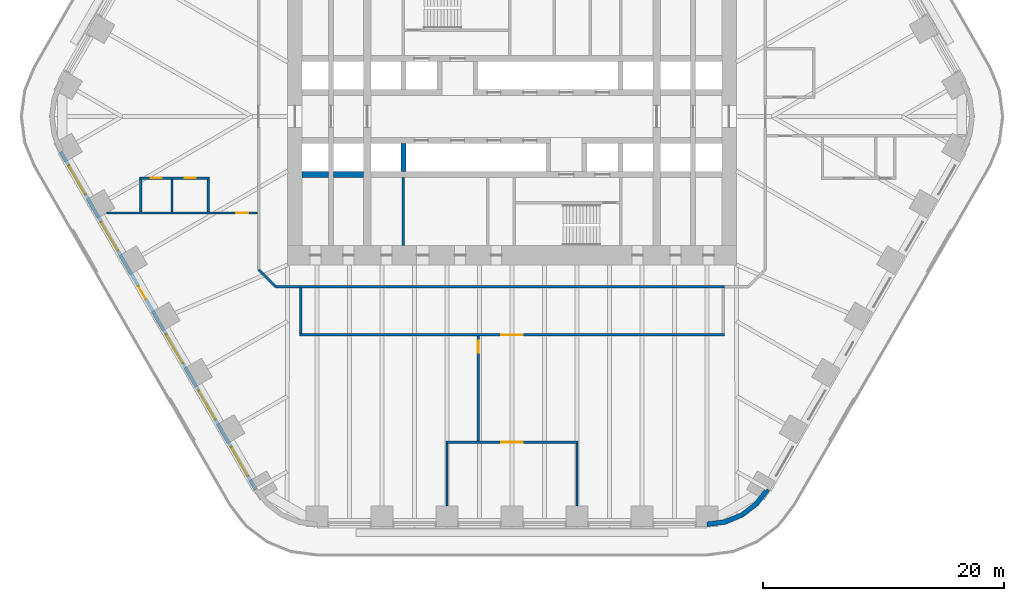
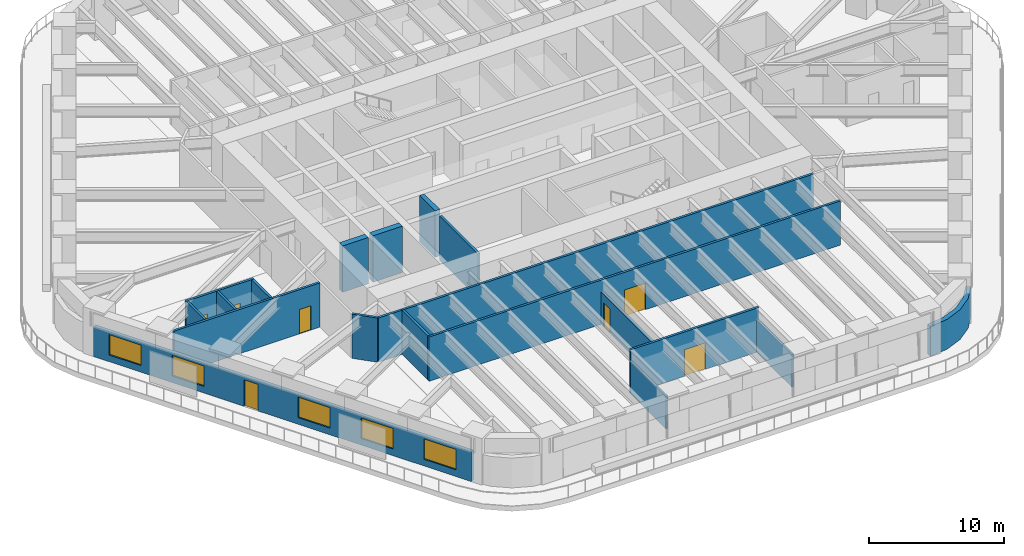
# One storey, part 16 of 23: 20 walls, 7 doors, 5 windows, 12 openings.
"""IFC4 building model written with IfcOpenShell, lengths in metres."""

import ifcopenshell
import ifcopenshell.guid

model = None  # the IFC model being written
_history = None  # IfcOwnerHistory: only IFC2X3 demands one
_inside = {}  # id of a spatial element -> (the spatial element, [elements in it])
_under = {}  # id of a project, library or spatial element -> (it, [spatial elements below it])
_declared = {}  # id of a project -> (the project, [libraries it declares])
_typed = {}  # id of a type object -> (the type object, [elements of that type])
_made_of = {}  # id of a material, layer set ... -> (it, [elements and type objects made of it])


def new_model(schema):
    """Start an empty IFC model of exactly this schema.

    Asked for "IFC4X3", IfcOpenShell would pick the latest addendum, in which some entities
    have other attributes; the version numbers below select the first issue.
    IFC2X3 requires an IfcOwnerHistory on every rooted entity: one is made here for all.
    """
    global model, _history
    if schema == "IFC4X3":
        model = ifcopenshell.file(schema_version=(4, 3, 0, 0))
    else:
        model = ifcopenshell.file(schema=schema)
    _inside.clear()
    _under.clear()
    _declared.clear()
    _typed.clear()
    _made_of.clear()
    _history = None
    if model.schema == "IFC2X3":
        org = make("IfcOrganization", Name="unknown")
        user = make(
            "IfcPersonAndOrganization",
            ThePerson=make("IfcPerson", FamilyName="unknown"),
            TheOrganization=org,
        )
        app = make(
            "IfcApplication",
            ApplicationDeveloper=org,
            Version="unknown",
            ApplicationFullName="unknown",
            ApplicationIdentifier="unknown",
        )
        _history = make(
            "IfcOwnerHistory",
            OwningUser=user,
            OwningApplication=app,
            ChangeAction="ADDED",
            CreationDate=0,
        )
    return model


def make(cls, **values):
    """One entity of the class cls with the attributes given. An attribute that is None is left unset."""
    return model.create_entity(
        cls, **{name: value for name, value in values.items() if value is not None}
    )


def rooted(cls, **values):
    """An entity with a GlobalId (a new one), such as an element, a storey or a relation."""
    return make(cls, GlobalId=ifcopenshell.guid.new(), OwnerHistory=_history, **values)


def si_unit(unit_type, name, prefix=None):
    """IfcSIUnit, for example si_unit("LENGTHUNIT", "METRE", prefix="MILLI")."""
    return make("IfcSIUnit", UnitType=unit_type, Prefix=prefix, Name=name)


def assignment(units):
    """IfcUnitAssignment: the units of a project."""
    return None if units is None else make("IfcUnitAssignment", Units=units)


def point(xyz):
    """IfcCartesianPoint."""
    return None if xyz is None else make("IfcCartesianPoint", Coordinates=xyz)


def direction(xyz):
    """IfcDirection."""
    return None if xyz is None else make("IfcDirection", DirectionRatios=xyz)


def frame(location, z_axis=None, x_axis=None):
    """IfcAxis2Placement3D, a coordinate frame: its origin and axes. An axis left out is left unset."""
    return make(
        "IfcAxis2Placement3D",
        Location=point(location),
        Axis=direction(z_axis),
        RefDirection=direction(x_axis),
    )


def frame_2d(location, x_axis=None):
    """IfcAxis2Placement2D, a coordinate frame in the plane: its origin and x axis."""
    return make(
        "IfcAxis2Placement2D", Location=point(location), RefDirection=direction(x_axis)
    )


def origin():
    """The frame at (0, 0, 0) with its axes left unset."""
    return frame((0.0, 0.0, 0.0))


def place(relative_to, where):
    """IfcLocalPlacement: puts the frame where relative to a parent placement (None: the world)."""
    return make(
        "IfcLocalPlacement", PlacementRelTo=relative_to, RelativePlacement=where
    )


def context(
    kind, dimensions, precision=None, world=None, true_north=None, identifier=None
):
    """IfcGeometricRepresentationContext, for example the 3D "Model" context."""
    return make(
        "IfcGeometricRepresentationContext",
        ContextIdentifier=identifier,
        ContextType=kind,
        CoordinateSpaceDimension=dimensions,
        Precision=precision,
        WorldCoordinateSystem=world,
        TrueNorth=true_north,
    )


def subcontext(parent, identifier, kind, view, scale=None):
    """IfcGeometricRepresentationSubContext, for example "Body" below "Model"."""
    return make(
        "IfcGeometricRepresentationSubContext",
        ContextIdentifier=identifier,
        ContextType=kind,
        ParentContext=parent,
        TargetScale=scale,
        TargetView=view,
    )


def project(units=None, contexts=None):
    """IfcProject with its units and contexts."""
    return rooted(
        "IfcProject",
        Name="project",
        RepresentationContexts=contexts,
        UnitsInContext=assignment(units),
    )


def spatial(cls, under=None, at=None, **own):
    """A site, building, storey or space (cls), placed at a placement, below another one or the project."""
    s = rooted(cls, ObjectPlacement=at, **own)
    if under is not None:
        _under.setdefault(under.id(), (under, []))[1].append(s)
    return s


def polyline(points):
    """IfcPolyline through the points."""
    return make("IfcPolyline", Points=[point(p) for p in points])


def profile(cls, at=None, kind="AREA", **sizes):
    """A parametric profile (cls). Its sizes go by their IFC names, for example OverallWidth=200.0."""
    return make(cls, ProfileType=kind, Position=at, **sizes)


def rectangle(**sizes):
    """IfcRectangleProfileDef."""
    return profile("IfcRectangleProfileDef", **sizes)


def outline(outer, holes=None, kind="AREA"):
    """IfcArbitraryClosedProfileDef: a profile drawn as a closed curve; with holes, ...WithVoids."""
    if holes is None:
        return make("IfcArbitraryClosedProfileDef", ProfileType=kind, OuterCurve=outer)
    return make(
        "IfcArbitraryProfileDefWithVoids",
        ProfileType=kind,
        OuterCurve=outer,
        InnerCurves=holes,
    )


def extrude(swept, where, along, depth):
    """IfcExtrudedAreaSolid: the profile swept, set in the frame where, extruded along a direction by depth."""
    return make(
        "IfcExtrudedAreaSolid",
        SweptArea=swept,
        Position=where,
        ExtrudedDirection=direction(along),
        Depth=depth,
    )


def shape(context_of_items, identifier, shape_type, items):
    """IfcShapeRepresentation: the items that make up one representation, for example the "Body"."""
    return make(
        "IfcShapeRepresentation",
        ContextOfItems=context_of_items,
        RepresentationIdentifier=identifier,
        RepresentationType=shape_type,
        Items=items,
    )


def material(Name=None, Category=None):
    """IfcMaterial."""
    return make("IfcMaterial", Name=Name, Category=Category)


def layer(
    of_material, thickness, ventilated=None, Name=None, Category=None, Priority=None
):
    """IfcMaterialLayer: one layer of a wall or slab, of a material (None: an air gap)."""
    return make(
        "IfcMaterialLayer",
        Material=of_material,
        LayerThickness=thickness,
        IsVentilated=ventilated,
        Name=Name,
        Category=Category,
        Priority=Priority,
    )


def layer_set(layers, Name=None):
    """IfcMaterialLayerSet."""
    return make("IfcMaterialLayerSet", MaterialLayers=layers, LayerSetName=Name)


def made_of(thing, what):
    """Note that an element or type object is made of a material, layer set ...; save() writes the relation."""
    if what is not None:
        _made_of.setdefault(what.id(), (what, []))[1].append(thing)
    return thing


def type_object(cls, material=None, **own):
    """A type object (cls), such as IfcWallType, which elements share."""
    return made_of(rooted(cls, **own), material)


def element(
    cls,
    number,
    at=None,
    inside=None,
    cuts=None,
    type_object=None,
    material=None,
    context=None,
    identifier="Body",
    shape_type=None,
    held_by="IfcProductDefinitionShape",
    body=None,
    shapes=None,
    **own,
):
    """One element of the class cls, such as IfcWall. Its Tag is "e" and its number.

    at: its placement. inside: the storey or other place that contains it. cuts: it is an
    opening in that element (IfcRelVoidsElement). A single representation is given by context,
    identifier, shape_type and body (its items); several are given by shapes. held_by: the class
    of the entity that holds the representations. save() writes the other relations.
    """
    e = rooted(cls, Tag="e%d" % number, ObjectPlacement=at, **own)
    if body is not None:
        shapes = [shape(context, identifier, shape_type, body)]
    if shapes is not None:
        e.Representation = make(held_by, Representations=shapes)
    if inside is not None:
        _inside.setdefault(inside.id(), (inside, []))[1].append(e)
    if cuts is not None:
        rooted(
            "IfcRelVoidsElement", RelatingBuildingElement=cuts, RelatedOpeningElement=e
        )
    if type_object is not None:
        _typed.setdefault(type_object.id(), (type_object, []))[1].append(e)
    return made_of(e, material)


def fill(opening, filler):
    """IfcRelFillsElement: the door or window that sits in an opening."""
    return rooted(
        "IfcRelFillsElement",
        RelatingOpeningElement=opening,
        RelatedBuildingElement=filler,
    )


def aggregate(whole, parts):
    """IfcRelAggregates: a whole, such as a stair, and the parts it consists of."""
    return rooted("IfcRelAggregates", RelatingObject=whole, RelatedObjects=parts)


def save(model, path):
    """Write the relations noted so far, then the file.

    IfcRelAggregates (storeys below a building ...), IfcRelContainedInSpatialStructure (elements
    in a storey), IfcRelDefinesByType, IfcRelAssociatesMaterial and IfcRelDeclares: one each for
    every whole, place, type object, material and project.
    """
    for whole, parts in _under.values():
        aggregate(whole, parts)
    for where, things in _inside.values():
        rooted(
            "IfcRelContainedInSpatialStructure",
            RelatedElements=things,
            RelatingStructure=where,
        )
    for kind, things in _typed.values():
        rooted("IfcRelDefinesByType", RelatedObjects=things, RelatingType=kind)
    for what, things in _made_of.values():
        rooted("IfcRelAssociatesMaterial", RelatedObjects=things, RelatingMaterial=what)
    for by, libraries in _declared.values():
        rooted("IfcRelDeclares", RelatingContext=by, RelatedDefinitions=libraries)
    model.write(path)


model = new_model("IFC4")

# Units and contexts
model_context = context("Model", 3, precision=1e-05, world=origin(), true_north=direction((0.0, 1.0)))
body_context = subcontext(model_context, "Body", "Model", "MODEL_VIEW")
ifc_project = project(units=[si_unit("LENGTHUNIT", "METRE"), si_unit("AREAUNIT", "SQUARE_METRE"), si_unit("VOLUMEUNIT", "CUBIC_METRE"), si_unit("PLANEANGLEUNIT", "RADIAN"), si_unit("MASSUNIT", "GRAM", prefix="KILO")], contexts=[model_context])

# Site, building, storey
site_placement = place(None, origin())
site = spatial("IfcSite", under=ifc_project, at=site_placement, CompositionType="ELEMENT")
building_placement = place(site_placement, origin())
building = spatial("IfcBuilding", under=site, at=building_placement, Name="Tarfa Lantern Tower", CompositionType="ELEMENT")
storey_placement = place(building_placement, frame((0.0, 0.0, 99.10009765625)))
storey = spatial("IfcBuildingStorey", under=building, at=storey_placement, Name="L22", CompositionType="ELEMENT", Elevation=99.10009765625)

# Wall, openings, door, windows
ifc_material_1 = material(Name="Limestone cladding on blockwork", Category="masonry")
ifc_layer_1 = layer(ifc_material_1, 0.300048828125)
ifc_layer_set_1 = layer_set([ifc_layer_1], Name="EW1 STONE-CLAD WALL 300")
wall_type_1 = type_object("IfcWallType", Name="EW1 STONE-CLAD WALL 300", PredefinedType="SOLIDWALL", material=ifc_layer_set_1)
wall_1_placement = place(storey_placement, frame((-37.39794921875, -2.925048828125, 0.0), z_axis=(0.0, 0.0, 1.0), x_axis=(0.499999163675, -0.866025886636, 0.0)))
wall_1 = element("IfcWall", 1, at=wall_1_placement, inside=storey, type_object=wall_type_1, Name="Stone wall SW", PredefinedType="SOLIDWALL", context=body_context, shape_type="SweptSolid", body=[
    extrude(rectangle(XDim=32.33154296875, YDim=0.300048828125, at=frame_2d((16.165771484375, 0.0))), origin(), (0.0, 0.0, 1.0), 2.699951171875),
])
opening_1_placement = place(wall_1_placement, frame((1.3193359375, 0.0, 0.60009765625)))
opening_1 = element("IfcOpeningElement", 2, at=opening_1_placement, cuts=wall_1, Name="Opening W2", PredefinedType="OPENING", context=body_context, shape_type="SweptSolid", body=[
    extrude(rectangle(XDim=2.75, YDim=1.85009765625, at=frame_2d((1.375, 0.925048828125))), frame((0.0, 0.159912109375, 0.0), z_axis=(0.0, -1.0, 0.0), x_axis=(1.0, 0.0, 0.0)), (0.0, 0.0, 1.0), 0.320068359375),
])
opening_2_placement = place(wall_1_placement, frame((6.7080078125, 0.0, 0.60009765625)))
opening_2 = element("IfcOpeningElement", 3, at=opening_2_placement, cuts=wall_1, Name="Opening W2", PredefinedType="OPENING", context=body_context, shape_type="SweptSolid", body=[
    extrude(rectangle(XDim=2.75, YDim=1.85009765625, at=frame_2d((1.375, 0.925048828125))), frame((0.0, 0.159912109375, 0.0), z_axis=(0.0, -1.0, 0.0), x_axis=(1.0, 0.0, 0.0)), (0.0, 0.0, 1.0), 0.320068359375),
])
opening_3_placement = place(wall_1_placement, frame((12.87158203125, 0.0, 0.0)))
opening_3 = element("IfcOpeningElement", 4, at=opening_3_placement, cuts=wall_1, Name="Opening D47", PredefinedType="OPENING", context=body_context, shape_type="SweptSolid", body=[
    extrude(rectangle(XDim=1.199951171875, YDim=2.39990234375, at=frame_2d((0.60009765625, 1.199951171875))), frame((0.0, 0.159912109375, 0.0), z_axis=(0.0, -1.0, 0.0), x_axis=(1.0, 0.0, 0.0)), (0.0, 0.0, 1.0), 0.320068359375),
])
opening_4_placement = place(wall_1_placement, frame((17.485107421875, 0.0, 0.60009765625)))
opening_4 = element("IfcOpeningElement", 5, at=opening_4_placement, cuts=wall_1, Name="Opening W2", PredefinedType="OPENING", context=body_context, shape_type="SweptSolid", body=[
    extrude(rectangle(XDim=2.75, YDim=1.85009765625, at=frame_2d((1.375, 0.925048828125))), frame((0.0, 0.159912109375, 0.0), z_axis=(0.0, -1.0, 0.0), x_axis=(1.0, 0.0, 0.0)), (0.0, 0.0, 1.0), 0.320068359375),
])
opening_5_placement = place(wall_1_placement, frame((22.873779296875, 0.0, 0.60009765625)))
opening_5 = element("IfcOpeningElement", 6, at=opening_5_placement, cuts=wall_1, Name="Opening W2", PredefinedType="OPENING", context=body_context, shape_type="SweptSolid", body=[
    extrude(rectangle(XDim=2.75, YDim=1.85009765625, at=frame_2d((1.375, 0.925048828125))), frame((0.0, 0.159912109375, 0.0), z_axis=(0.0, -1.0, 0.0), x_axis=(1.0, 0.0, 0.0)), (0.0, 0.0, 1.0), 0.320068359375),
])
opening_6_placement = place(wall_1_placement, frame((28.26220703125, 0.0, 0.60009765625)))
opening_6 = element("IfcOpeningElement", 7, at=opening_6_placement, cuts=wall_1, Name="Opening W2", PredefinedType="OPENING", context=body_context, shape_type="SweptSolid", body=[
    extrude(rectangle(XDim=2.75, YDim=1.85009765625, at=frame_2d((1.375, 0.925048828125))), frame((0.0, 0.159912109375, 0.0), z_axis=(0.0, -1.0, 0.0), x_axis=(1.0, 0.0, 0.0)), (0.0, 0.0, 1.0), 0.320068359375),
])
ifc_material_2 = material(Name="Aluminium framed glazed door", Category="aluminium")
door_type_1 = type_object("IfcDoorType", Name="BE3 BALCONY DOOR 1200x2400", OperationType="SINGLE_SWING_RIGHT", PredefinedType="DOOR", material=ifc_material_2)
door_1_placement = place(opening_3_placement, origin())
door_1 = element("IfcDoor", 8, at=door_1_placement, inside=storey, type_object=door_type_1, Name="Balcony door SW", OperationType="SINGLE_SWING_RIGHT", OverallHeight=2.39990234375, OverallWidth=1.199951171875, PredefinedType="DOOR", context=body_context, shape_type="SweptSolid", body=[
    extrude(rectangle(XDim=1.199951171875, YDim=2.39990234375, at=frame_2d((0.60009765625, 1.199951171875))), frame((0.0, 0.02490234375, 0.0), z_axis=(0.0, -1.0, 0.0), x_axis=(1.0, 0.0, 0.0)), (0.0, 0.0, 1.0), 0.050048828125),
])
fill(opening_3, door_1)
ifc_material_3 = material(Name="Aluminium frame, double glazed", Category="aluminium")
window_type = type_object("IfcWindowType", Name="W2 FULL-HEIGHT GLAZING 2750x1850", PartitioningType="SINGLE_PANEL", PredefinedType="WINDOW", material=ifc_material_3)
window_1_placement = place(opening_1_placement, origin())
window_1 = element("IfcWindow", 9, at=window_1_placement, inside=storey, type_object=window_type, Name="Window SW 1", OverallHeight=1.85009765625, OverallWidth=2.75, PartitioningType="SINGLE_PANEL", PredefinedType="WINDOW", context=body_context, shape_type="SweptSolid", body=[
    extrude(rectangle(XDim=2.75, YDim=1.85009765625, at=frame_2d((1.375, 0.925048828125))), frame((0.0, 0.030029296875, 0.0), z_axis=(0.0, -1.0, 0.0), x_axis=(1.0, 0.0, 0.0)), (0.0, 0.0, 1.0), 0.06005859375),
])
fill(opening_1, window_1)
window_2_placement = place(opening_2_placement, origin())
window_2 = element("IfcWindow", 10, at=window_2_placement, inside=storey, type_object=window_type, Name="Window SW 2", OverallHeight=1.85009765625, OverallWidth=2.75, PartitioningType="SINGLE_PANEL", PredefinedType="WINDOW", context=body_context, shape_type="SweptSolid", body=[
    extrude(rectangle(XDim=2.75, YDim=1.85009765625, at=frame_2d((1.375, 0.925048828125))), frame((0.0, 0.030029296875, 0.0), z_axis=(0.0, -1.0, 0.0), x_axis=(1.0, 0.0, 0.0)), (0.0, 0.0, 1.0), 0.06005859375),
])
fill(opening_2, window_2)
window_3_placement = place(opening_4_placement, origin())
window_3 = element("IfcWindow", 11, at=window_3_placement, inside=storey, type_object=window_type, Name="Window SW 4", OverallHeight=1.85009765625, OverallWidth=2.75, PartitioningType="SINGLE_PANEL", PredefinedType="WINDOW", context=body_context, shape_type="SweptSolid", body=[
    extrude(rectangle(XDim=2.75, YDim=1.85009765625, at=frame_2d((1.375, 0.925048828125))), frame((0.0, 0.030029296875, 0.0), z_axis=(0.0, -1.0, 0.0), x_axis=(1.0, 0.0, 0.0)), (0.0, 0.0, 1.0), 0.06005859375),
])
fill(opening_4, window_3)
window_4_placement = place(opening_5_placement, origin())
window_4 = element("IfcWindow", 12, at=window_4_placement, inside=storey, type_object=window_type, Name="Window SW 5", OverallHeight=1.85009765625, OverallWidth=2.75, PartitioningType="SINGLE_PANEL", PredefinedType="WINDOW", context=body_context, shape_type="SweptSolid", body=[
    extrude(rectangle(XDim=2.75, YDim=1.85009765625, at=frame_2d((1.375, 0.925048828125))), frame((0.0, 0.030029296875, 0.0), z_axis=(0.0, -1.0, 0.0), x_axis=(1.0, 0.0, 0.0)), (0.0, 0.0, 1.0), 0.06005859375),
])
fill(opening_5, window_4)
window_5_placement = place(opening_6_placement, origin())
window_5 = element("IfcWindow", 13, at=window_5_placement, inside=storey, type_object=window_type, Name="Window SW 6", OverallHeight=1.85009765625, OverallWidth=2.75, PartitioningType="SINGLE_PANEL", PredefinedType="WINDOW", context=body_context, shape_type="SweptSolid", body=[
    extrude(rectangle(XDim=2.75, YDim=1.85009765625, at=frame_2d((1.375, 0.925048828125))), frame((0.0, 0.030029296875, 0.0), z_axis=(0.0, -1.0, 0.0), x_axis=(1.0, 0.0, 0.0)), (0.0, 0.0, 1.0), 0.06005859375),
])
fill(opening_6, window_5)

# Walls
ifc_layer_2 = layer(ifc_material_1, 0.39990234375)
ifc_layer_set_2 = layer_set([ifc_layer_2], Name="EW2 CURVED STONE CORNER 400")
wall_type_2 = type_object("IfcWallType", Name="EW2 CURVED STONE CORNER 400", PredefinedType="SOLIDWALL", material=ifc_layer_set_2)
wall_2_placement = place(storey_placement, origin())
element("IfcWall", 14, at=wall_2_placement, inside=storey, type_object=wall_type_2, Name="Stone corner S-SE", PredefinedType="SOLIDWALL", context=body_context, shape_type="SweptSolid", body=[
    extrude(outline(polyline([(16.165771484375, -34.0), (17.71875, -33.795654296875), (19.165771484375, -33.196044921875), (20.408447265625, -32.24267578125), (21.362060546875, -31.0), (21.015625, -30.800048828125), (20.12548828125, -31.959716796875), (18.9658203125, -32.849853515625), (17.615234375, -33.4091796875), (16.165771484375, -33.60009765625), (16.165771484375, -34.0)])), origin(), (0.0, 0.0, 1.0), 2.699951171875),
])
ifc_material_4 = material(Name="Concrete blockwork", Category="masonry")
ifc_layer_3 = layer(ifc_material_4, 0.199951171875)
ifc_layer_set_3 = layer_set([ifc_layer_3], Name="IW1 BLOCKWORK PARTITION 200 EI 120")
wall_type_3 = type_object("IfcWallType", Name="IW1 BLOCKWORK PARTITION 200 EI 120", PredefinedType="PARTITIONING", material=ifc_layer_set_3)
wall_3_placement = place(storey_placement, frame((-9.0, -5.050048828125, 0.0), z_axis=(0.0, 0.0, 1.0), x_axis=(0.0, -1.0, 0.0)))
element("IfcWall", 15, at=wall_3_placement, inside=storey, type_object=wall_type_3, Name="Core partition", PredefinedType="PARTITIONING", context=body_context, shape_type="SweptSolid", body=[
    extrude(rectangle(XDim=5.64990234375, YDim=0.199951171875, at=frame_2d((2.824951171875, 0.0))), origin(), (0.0, 0.0, 1.0), 4.0),
])
ifc_material_5 = material(Name="Gypsum board on steel studs", Category="steel")
ifc_layer_4 = layer(ifc_material_5, 0.2099609375)
ifc_layer_set_4 = layer_set([ifc_layer_4], Name="IW2 ACOUSTIC PARTITION 200")
wall_type_4 = type_object("IfcWallType", Name="IW2 ACOUSTIC PARTITION 200", PredefinedType="PARTITIONING", material=ifc_layer_set_4)
wall_4_placement = place(storey_placement, frame((17.60009765625, -14.10009765625, 0.0), z_axis=(0.0, 0.0, 1.0), x_axis=(-1.0, 0.0, 0.0)))
element("IfcWall", 16, at=wall_4_placement, inside=storey, type_object=wall_type_4, Name="Partition", PredefinedType="PARTITIONING", context=body_context, shape_type="SweptSolid", body=[
    extrude(rectangle(XDim=35.2001953125, YDim=0.199951171875, at=frame_2d((17.60009765625, 0.0))), origin(), (0.0, 0.0, 1.0), 4.0),
])

# Wall, opening, door
wall_5_placement = place(storey_placement, frame((17.60009765625, -18.10009765625, 0.0), z_axis=(0.0, 0.0, 1.0), x_axis=(-1.0, 0.0, 0.0)))
wall_5 = element("IfcWall", 17, at=wall_5_placement, inside=storey, type_object=wall_type_4, Name="Partition", PredefinedType="PARTITIONING", context=body_context, shape_type="SweptSolid", body=[
    extrude(rectangle(XDim=35.2001953125, YDim=0.199951171875, at=frame_2d((17.60009765625, 0.0))), origin(), (0.0, 0.0, 1.0), 4.0),
])
opening_7_placement = place(wall_5_placement, frame((16.699951171875, 0.0, 0.0)))
opening_7 = element("IfcOpeningElement", 18, at=opening_7_placement, cuts=wall_5, Name="Opening D34", PredefinedType="OPENING", context=body_context, shape_type="SweptSolid", body=[
    extrude(rectangle(XDim=1.800048828125, YDim=2.39990234375, at=frame_2d((0.89990234375, 1.199951171875))), frame((0.0, 0.10986328125, 0.0), z_axis=(0.0, -1.0, 0.0), x_axis=(1.0, 0.0, 0.0)), (0.0, 0.0, 1.0), 0.219970703125),
])
ifc_material_6 = material(Name="Timber door", Category="wood")
door_type_2 = type_object("IfcDoorType", Name="DR2 ROOM DOOR 1800x2400", OperationType="DOUBLE_DOOR_SINGLE_SWING", PredefinedType="DOOR", material=ifc_material_6)
door_2_placement = place(opening_7_placement, frame((1.800048828125, 0.0, 0.0), z_axis=(0.0, 0.0, 1.0), x_axis=(-1.0, 0.0, 0.0)))
door_2 = element("IfcDoor", 19, at=door_2_placement, inside=storey, type_object=door_type_2, Name="Pantry door", OperationType="DOUBLE_DOOR_SINGLE_SWING", OverallHeight=2.39990234375, OverallWidth=1.800048828125, PredefinedType="DOOR", context=body_context, shape_type="SweptSolid", body=[
    extrude(rectangle(XDim=1.800048828125, YDim=2.39990234375, at=frame_2d((0.89990234375, 1.199951171875))), frame((0.0, 0.02490234375, 0.0), z_axis=(0.0, -1.0, 0.0), x_axis=(1.0, 0.0, 0.0)), (0.0, 0.0, 1.0), 0.050048828125),
])
fill(opening_7, door_2)

# Wall
wall_6_placement = place(storey_placement, frame((-17.5, -14.199951171875, 0.0), z_axis=(0.0, 0.0, 1.0), x_axis=(0.0, -1.0, 0.0)))
element("IfcWall", 20, at=wall_6_placement, inside=storey, type_object=wall_type_4, Name="Partition", PredefinedType="PARTITIONING", context=body_context, shape_type="SweptSolid", body=[
    extrude(rectangle(XDim=3.800048828125, YDim=0.199951171875, at=frame_2d((1.89990234375, 0.0))), origin(), (0.0, 0.0, 1.0), 4.0),
])

# Wall, opening, door
wall_7_placement = place(storey_placement, frame((-5.488525390625, -27.0, 0.0), z_axis=(0.0, 0.0, 1.0), x_axis=(1.0, 0.0, 0.0)))
wall_7 = element("IfcWall", 21, at=wall_7_placement, inside=storey, type_object=wall_type_4, Name="Partition", PredefinedType="PARTITIONING", context=body_context, shape_type="SweptSolid", body=[
    extrude(rectangle(XDim=10.97705078125, YDim=0.199951171875, at=frame_2d((5.488525390625, 0.0))), origin(), (0.0, 0.0, 1.0), 4.0),
])
opening_8_placement = place(wall_7_placement, frame((4.588623046875, 0.0, 0.0)))
opening_8 = element("IfcOpeningElement", 22, at=opening_8_placement, cuts=wall_7, Name="Opening D30", PredefinedType="OPENING", context=body_context, shape_type="SweptSolid", body=[
    extrude(rectangle(XDim=1.800048828125, YDim=2.39990234375, at=frame_2d((0.89990234375, 1.199951171875))), frame((0.0, 0.10986328125, 0.0), z_axis=(0.0, -1.0, 0.0), x_axis=(1.0, 0.0, 0.0)), (0.0, 0.0, 1.0), 0.219970703125),
])
door_3_placement = place(opening_8_placement, frame((1.800048828125, 0.0, 0.0), z_axis=(0.0, 0.0, 1.0), x_axis=(-1.0, 0.0, 0.0)))
door_3 = element("IfcDoor", 23, at=door_3_placement, inside=storey, type_object=door_type_2, Name="Press briefing room door", OperationType="DOUBLE_DOOR_SINGLE_SWING", OverallHeight=2.39990234375, OverallWidth=1.800048828125, PredefinedType="DOOR", context=body_context, shape_type="SweptSolid", body=[
    extrude(rectangle(XDim=1.800048828125, YDim=2.39990234375, at=frame_2d((0.89990234375, 1.199951171875))), frame((0.0, 0.02490234375, 0.0), z_axis=(0.0, -1.0, 0.0), x_axis=(1.0, 0.0, 0.0)), (0.0, 0.0, 1.0), 0.050048828125),
])
fill(opening_8, door_3)

# Walls
for number, where, z_axis, x_axis, name in (
    (24, (-5.388671875, -27.10009765625, 0.0), (0.0, 0.0, 1.0), (0.0, -1.0, 0.0), "Partition"),
    (25, (5.388671875, -27.10009765625, 0.0), (0.0, 0.0, 1.0), (0.0, -1.0, 0.0), "Partition"),
):
    element("IfcWall", number, at=place(storey_placement, frame(where, z_axis=z_axis, x_axis=x_axis)), inside=storey, type_object=wall_type_4, Name=name, PredefinedType="PARTITIONING", context=body_context, shape_type="SweptSolid", body=[
        extrude(rectangle(XDim=5.199951171875, YDim=0.199951171875, at=frame_2d((2.60009765625, 0.0))), origin(), (0.0, 0.0, 1.0), 2.94384765625),
    ])
wall_8_placement = place(storey_placement, frame((-17.60009765625, -14.10009765625, 0.0), z_axis=(0.0, 0.0, 1.0), x_axis=(-1.0, 0.0, 0.0)))
element("IfcWall", 26, at=wall_8_placement, inside=storey, type_object=wall_type_4, Name="Partition", PredefinedType="PARTITIONING", context=body_context, shape_type="SweptSolid", body=[
    extrude(rectangle(XDim=2.0, YDim=0.199951171875, at=frame_2d((1.0, 0.0))), origin(), (0.0, 0.0, 1.0), 4.0),
])
wall_9_placement = place(storey_placement, frame((-19.60009765625, -14.10009765625, 0.0), z_axis=(0.0, 0.0, 1.0), x_axis=(-0.707045124756, 0.707168432242, 0.0)))
element("IfcWall", 27, at=wall_9_placement, inside=storey, type_object=wall_type_4, Name="Partition", PredefinedType="PARTITIONING", context=body_context, shape_type="SweptSolid", body=[
    extrude(rectangle(XDim=1.97998046875, YDim=0.199951171875, at=frame_2d((0.989990234375, 0.0))), origin(), (0.0, 0.0, 1.0), 4.0),
])

# Wall, opening, door
wall_10_placement = place(storey_placement, frame((-2.800048828125, -18.199951171875, 0.0), z_axis=(0.0, 0.0, 1.0), x_axis=(0.0, -1.0, 0.0)))
wall_10 = element("IfcWall", 28, at=wall_10_placement, inside=storey, type_object=wall_type_4, Name="Partition", PredefinedType="PARTITIONING", context=body_context, shape_type="SweptSolid", body=[
    extrude(rectangle(XDim=8.699951171875, YDim=0.199951171875, at=frame_2d((4.35009765625, 0.0))), origin(), (0.0, 0.0, 1.0), 2.94384765625),
])
opening_9_placement = place(wall_10_placement, frame((0.3701171875, 0.0, 0.0)))
opening_9 = element("IfcOpeningElement", 29, at=opening_9_placement, cuts=wall_10, Name="Opening D43", PredefinedType="OPENING", context=body_context, shape_type="SweptSolid", body=[
    extrude(rectangle(XDim=1.0, YDim=2.199951171875, at=frame_2d((0.5, 1.10009765625))), frame((0.0, 0.10986328125, 0.0), z_axis=(0.0, -1.0, 0.0), x_axis=(1.0, 0.0, 0.0)), (0.0, 0.0, 1.0), 0.219970703125),
])
door_type_3 = type_object("IfcDoorType", Name="DR1 ROOM DOOR 1000x2200", OperationType="SINGLE_SWING_LEFT", PredefinedType="DOOR", material=ifc_material_6)
door_4_placement = place(opening_9_placement, frame((1.0, 0.0, 0.0), z_axis=(0.0, 0.0, 1.0), x_axis=(-1.0, 0.0, 0.0)))
door_4 = element("IfcDoor", 30, at=door_4_placement, inside=storey, type_object=door_type_3, Name="Zone door", OperationType="SINGLE_SWING_LEFT", OverallHeight=2.199951171875, OverallWidth=1.0, PredefinedType="DOOR", context=body_context, shape_type="SweptSolid", body=[
    extrude(rectangle(XDim=1.0, YDim=2.199951171875, at=frame_2d((0.5, 1.10009765625))), frame((0.0, 0.02490234375, 0.0), z_axis=(0.0, -1.0, 0.0), x_axis=(1.0, 0.0, 0.0)), (0.0, 0.0, 1.0), 0.050048828125),
])
fill(opening_9, door_4)

wall_11_placement = place(storey_placement, frame((-21.10009765625, -8.0, 0.0), z_axis=(0.0, 0.0, 1.0), x_axis=(-1.0, 0.0, 0.0)))
wall_11 = element("IfcWall", 31, at=wall_11_placement, inside=storey, type_object=wall_type_4, Name="Partition", PredefinedType="PARTITIONING", context=body_context, shape_type="SweptSolid", body=[
    extrude(rectangle(XDim=12.5107421875, YDim=0.199951171875, at=frame_2d((6.25537109375, 0.0))), origin(), (0.0, 0.0, 1.0), 4.0),
])
opening_10_placement = place(wall_11_placement, frame((0.7509765625, 0.0, 0.0)))
opening_10 = element("IfcOpeningElement", 32, at=opening_10_placement, cuts=wall_11, Name="Opening D44", PredefinedType="OPENING", context=body_context, shape_type="SweptSolid", body=[
    extrude(rectangle(XDim=1.0, YDim=2.199951171875, at=frame_2d((0.5, 1.10009765625))), frame((0.0, 0.10986328125, 0.0), z_axis=(0.0, -1.0, 0.0), x_axis=(1.0, 0.0, 0.0)), (0.0, 0.0, 1.0), 0.219970703125),
])
door_5_placement = place(opening_10_placement, origin())
door_5 = element("IfcDoor", 33, at=door_5_placement, inside=storey, type_object=door_type_3, Name="Zone door", OperationType="SINGLE_SWING_RIGHT", OverallHeight=2.199951171875, OverallWidth=1.0, PredefinedType="DOOR", context=body_context, shape_type="SweptSolid", body=[
    extrude(rectangle(XDim=1.0, YDim=2.199951171875, at=frame_2d((0.5, 1.10009765625))), frame((0.0, 0.02490234375, 0.0), z_axis=(0.0, -1.0, 0.0), x_axis=(1.0, 0.0, 0.0)), (0.0, 0.0, 1.0), 0.050048828125),
])
fill(opening_10, door_5)

# Wall, openings, doors
wall_12_placement = place(storey_placement, frame((-25.0810546875, -5.10009765625, 0.0), z_axis=(0.0, 0.0, 1.0), x_axis=(-1.0, 0.0, 0.0)))
wall_12 = element("IfcWall", 34, at=wall_12_placement, inside=storey, type_object=wall_type_4, Name="Partition", PredefinedType="PARTITIONING", context=body_context, shape_type="SweptSolid", body=[
    extrude(rectangle(XDim=5.7998046875, YDim=0.199951171875, at=frame_2d((2.89990234375, 0.0))), origin(), (0.0, 0.0, 1.0), 4.0),
])
opening_11_placement = place(wall_12_placement, frame((1.14990234375, 0.0, 0.0)))
opening_11 = element("IfcOpeningElement", 35, at=opening_11_placement, cuts=wall_12, Name="Opening D37", PredefinedType="OPENING", context=body_context, shape_type="SweptSolid", body=[
    extrude(rectangle(XDim=0.89990234375, YDim=2.199951171875, at=frame_2d((0.449951171875, 1.10009765625))), frame((0.0, 0.10986328125, 0.0), z_axis=(0.0, -1.0, 0.0), x_axis=(1.0, 0.0, 0.0)), (0.0, 0.0, 1.0), 0.219970703125),
])
opening_12_placement = place(wall_12_placement, frame((3.949951171875, 0.0, 0.0)))
opening_12 = element("IfcOpeningElement", 36, at=opening_12_placement, cuts=wall_12, Name="Opening D38", PredefinedType="OPENING", context=body_context, shape_type="SweptSolid", body=[
    extrude(rectangle(XDim=0.89990234375, YDim=2.199951171875, at=frame_2d((0.449951171875, 1.10009765625))), frame((0.0, 0.10986328125, 0.0), z_axis=(0.0, -1.0, 0.0), x_axis=(1.0, 0.0, 0.0)), (0.0, 0.0, 1.0), 0.219970703125),
])
door_type_4 = type_object("IfcDoorType", Name="DR3 ROOM DOOR 900x2200", OperationType="SINGLE_SWING_LEFT", PredefinedType="DOOR", material=ifc_material_6)
door_6_placement = place(opening_11_placement, origin())
door_6 = element("IfcDoor", 37, at=door_6_placement, inside=storey, type_object=door_type_4, Name="Wellness room door", OperationType="SINGLE_SWING_RIGHT", OverallHeight=2.199951171875, OverallWidth=0.89990234375, PredefinedType="DOOR", context=body_context, shape_type="SweptSolid", body=[
    extrude(rectangle(XDim=0.89990234375, YDim=2.199951171875, at=frame_2d((0.449951171875, 1.10009765625))), frame((0.0, 0.02490234375, 0.0), z_axis=(0.0, -1.0, 0.0), x_axis=(1.0, 0.0, 0.0)), (0.0, 0.0, 1.0), 0.050048828125),
])
fill(opening_11, door_6)
door_7_placement = place(opening_12_placement, origin())
door_7 = element("IfcDoor", 38, at=door_7_placement, inside=storey, type_object=door_type_4, Name="Quiet room door", OperationType="SINGLE_SWING_LEFT", OverallHeight=2.199951171875, OverallWidth=0.89990234375, PredefinedType="DOOR", context=body_context, shape_type="SweptSolid", body=[
    extrude(rectangle(XDim=0.89990234375, YDim=2.199951171875, at=frame_2d((0.449951171875, 1.10009765625))), frame((0.0, 0.02490234375, 0.0), z_axis=(0.0, -1.0, 0.0), x_axis=(1.0, 0.0, 0.0)), (0.0, 0.0, 1.0), 0.050048828125),
])
fill(opening_12, door_7)

# Walls
for number, where, z_axis, x_axis, name in (
    (39, (-25.180908203125, -7.89990234375, 0.0), (0.0, 0.0, 1.0), (0.0, 1.0, 0.0), "Partition"),
    (40, (-28.180908203125, -7.89990234375, 0.0), (0.0, 0.0, 1.0), (0.0, 1.0, 0.0), "Partition"),
    (41, (-30.781005859375, -7.89990234375, 0.0), (0.0, 0.0, 1.0), (0.0, 1.0, 0.0), "Partition"),
):
    element("IfcWall", number, at=place(storey_placement, frame(where, z_axis=z_axis, x_axis=x_axis)), inside=storey, type_object=wall_type_4, Name=name, PredefinedType="PARTITIONING", context=body_context, shape_type="SweptSolid", body=[
        extrude(rectangle(XDim=2.699951171875, YDim=0.199951171875, at=frame_2d((1.35009765625, 0.0))), origin(), (0.0, 0.0, 1.0), 4.0),
    ])
ifc_material_7 = material(Name="Concrete C80/95", Category="concrete")
ifc_layer_5 = layer(ifc_material_7, 0.5)
ifc_layer_set_5 = layer_set([ifc_layer_5], Name="SW5 CORE WALL 500")
wall_type_5 = type_object("IfcWallType", Name="SW5 CORE WALL 500", PredefinedType="SHEAR", material=ifc_layer_set_5)
wall_13_placement = place(storey_placement, frame((-12.300048828125, -4.800048828125, 0.0), z_axis=(0.0, 0.0, 1.0), x_axis=(-1.0, 0.0, 0.0)))
element("IfcWall", 42, at=wall_13_placement, inside=storey, type_object=wall_type_5, Name="Core wall rear S", PredefinedType="SHEAR", context=body_context, shape_type="SweptSolid", body=[
    extrude(rectangle(XDim=2.5, YDim=0.5, at=frame_2d((1.25, 0.0))), origin(), (0.0, 0.0, 1.0), 4.199951171875),
])
wall_14_placement = place(storey_placement, frame((-15.199951171875, -4.800048828125, 0.0), z_axis=(0.0, 0.0, 1.0), x_axis=(-1.0, 0.0, 0.0)))
element("IfcWall", 43, at=wall_14_placement, inside=storey, type_object=wall_type_5, Name="Core wall rear S", PredefinedType="SHEAR", context=body_context, shape_type="SweptSolid", body=[
    extrude(rectangle(XDim=2.199951171875, YDim=0.5, at=frame_2d((1.10009765625, 0.0))), origin(), (0.0, 0.0, 1.0), 4.199951171875),
])
ifc_layer_6 = layer(ifc_material_7, 0.39990234375)
ifc_layer_set_6 = layer_set([ifc_layer_6], Name="SW6 CORE WALL 400")
wall_type_6 = type_object("IfcWallType", Name="SW6 CORE WALL 400", PredefinedType="SHEAR", material=ifc_layer_set_6)
wall_15_placement = place(storey_placement, frame((-9.0, -2.25, 0.0), z_axis=(0.0, 0.0, 1.0), x_axis=(0.0, -1.0, 0.0)))
element("IfcWall", 44, at=wall_15_placement, inside=storey, type_object=wall_type_6, Name="Core wall divider S", PredefinedType="SHEAR", context=body_context, shape_type="SweptSolid", body=[
    extrude(rectangle(XDim=2.300048828125, YDim=0.39990234375, at=frame_2d((1.14990234375, 0.0))), origin(), (0.0, 0.0, 1.0), 4.199951171875),
])

save(model, "model.ifc")
